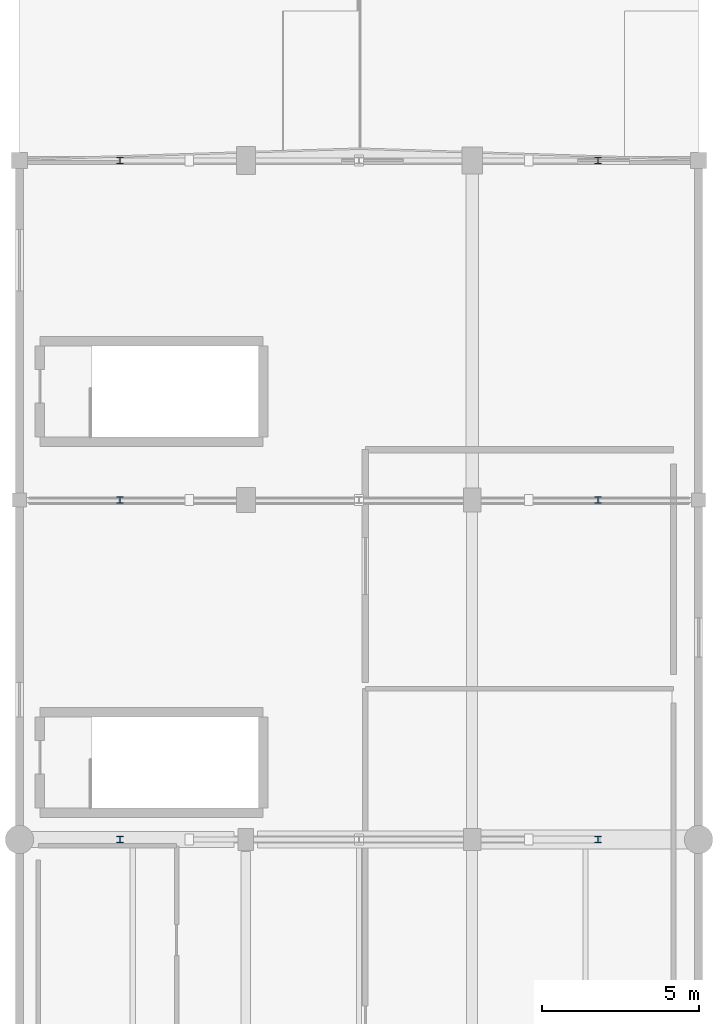
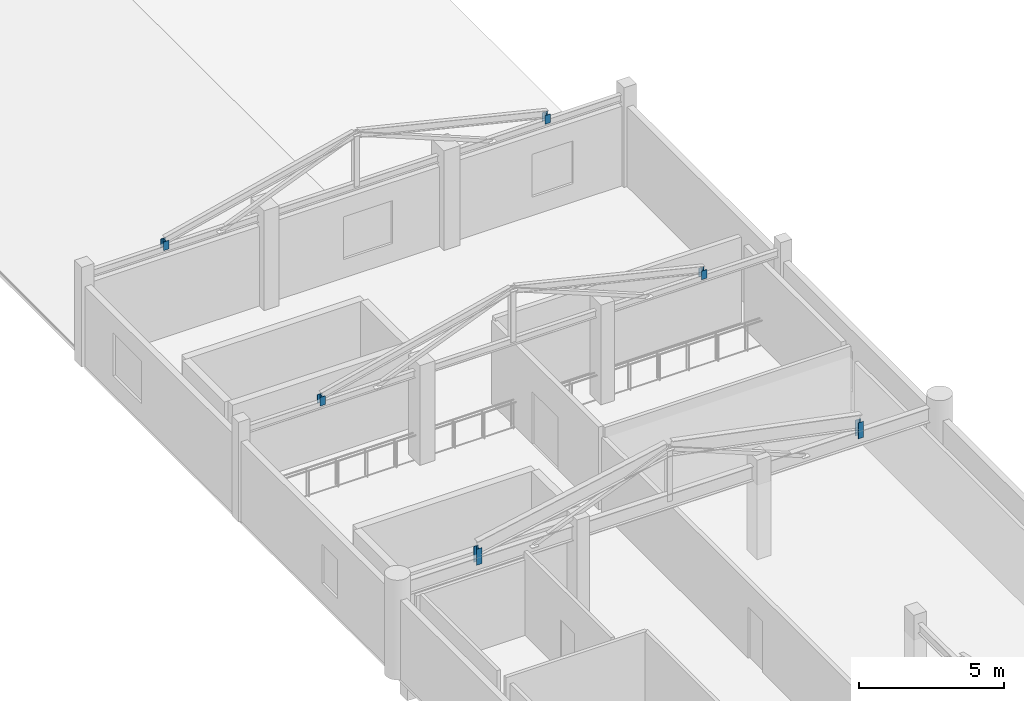
# One storey, part 20 of 41: 6 members.
"""IFC4 building model written with IfcOpenShell, lengths in metres."""

from ifc_helpers import new_model, si_unit, direction, frame, origin, origin_2d, place, context, subcontext, project, spatial, i_section, extrude, material, material_profile, profile_set, type_object, element, save


model = new_model("IFC4")

# Units and contexts
model_context = context("Model", 3, precision=1e-05, world=origin(), true_north=direction((0.0, 1.0)))
body_context = subcontext(model_context, "Body", "Model", "MODEL_VIEW")
ifc_project = project(units=[si_unit("LENGTHUNIT", "METRE"), si_unit("AREAUNIT", "SQUARE_METRE"), si_unit("VOLUMEUNIT", "CUBIC_METRE"), si_unit("PLANEANGLEUNIT", "RADIAN"), si_unit("MASSUNIT", "GRAM", prefix="KILO")], contexts=[model_context])

# Site, building, storey
site_placement = place(None, origin())
site = spatial("IfcSite", under=ifc_project, at=site_placement, CompositionType="ELEMENT")
building_placement = place(site_placement, origin())
building = spatial("IfcBuilding", under=site, at=building_placement, Name="Solanera Park Tramway Depot", CompositionType="ELEMENT")
storey_placement = place(building_placement, frame((0.0, 0.0, 13.199951171875)))
storey = spatial("IfcBuildingStorey", under=building, at=storey_placement, Name="L03", CompositionType="ELEMENT", Elevation=13.199951171875)

# Members
ifc_material = material(Name="Steel AS/NZS 3679.1 Grade 350", Category="steel")
ifc_material_profile = material_profile(ifc_material, i_section(OverallWidth=0.205078125, OverallDepth=0.209716796875, WebThickness=0.00927734375, FlangeThickness=0.01416015625, at=origin_2d()), Name="200UC59.5")
ifc_profile_set = profile_set([ifc_material_profile], Name="Steel AS/NZS 3679.1 Grade 350")
member_type = type_object("IfcMemberType", Name="Roof Gantry Compression Strut 200UC59.5", PredefinedType="STRUT", material=ifc_profile_set)
for number, where, z_axis, x_axis, name in (
    (1, (168.800048828125, 43.199951171875, 3.494140625), (0.0, 0.0, 1.0), (1.0, 0.0, 0.0), "Hip ROOF TRUSS Heel Post #0137"),
    (2, (184.0, 43.199951171875, 3.494140625), (0.0, 0.0, 1.0), (1.0, 0.0, 0.0), "Hip ROOF TRUSS Heel Post #0138"),
):
    element("IfcMember", number, at=place(storey_placement, frame(where, z_axis=z_axis, x_axis=x_axis)), inside=storey, type_object=member_type, Name=name, PredefinedType="STRUT", context=body_context, shape_type="SweptSolid", body=[
        extrude(i_section(OverallWidth=0.205078125, OverallDepth=0.209716796875, WebThickness=0.00927734375, FlangeThickness=0.01416015625, at=origin_2d()), origin(), (0.0, 0.0, 1.0), 0.671630859375),
    ])
for number, where, z_axis, x_axis, name in (
    (3, (168.800048828125, 54.0, 3.648193359375), (0.0, 0.0, 1.0), (1.0, 0.0, 0.0), "Hip ROOF TRUSS Heel Post #0140"),
    (4, (184.0, 54.0, 3.648193359375), (0.0, 0.0, 1.0), (1.0, 0.0, 0.0), "Hip ROOF TRUSS Heel Post #0141"),
):
    element("IfcMember", number, at=place(storey_placement, frame(where, z_axis=z_axis, x_axis=x_axis)), inside=storey, type_object=member_type, Name=name, PredefinedType="STRUT", context=body_context, shape_type="SweptSolid", body=[
        extrude(i_section(OverallWidth=0.205078125, OverallDepth=0.209716796875, WebThickness=0.00927734375, FlangeThickness=0.01416015625, at=origin_2d()), origin(), (0.0, 0.0, 1.0), 0.36376953125),
    ])
for number, where, z_axis, x_axis, name in (
    (5, (168.800048828125, 64.800048828125, 3.646484375), (0.0, 0.0, 1.0), (1.0, 0.0, 0.0), "Hip ROOF TRUSS Heel Post #0143"),
    (6, (184.0, 64.800048828125, 3.646484375), (0.0, 0.0, 1.0), (1.0, 0.0, 0.0), "Hip ROOF TRUSS Heel Post #0144"),
):
    element("IfcMember", number, at=place(storey_placement, frame(where, z_axis=z_axis, x_axis=x_axis)), inside=storey, type_object=member_type, Name=name, PredefinedType="STRUT", context=body_context, shape_type="SweptSolid", body=[
        extrude(i_section(OverallWidth=0.205078125, OverallDepth=0.209716796875, WebThickness=0.00927734375, FlangeThickness=0.01416015625, at=origin_2d()), origin(), (0.0, 0.0, 1.0), 0.3671875),
    ])

save(model, "model.ifc")
